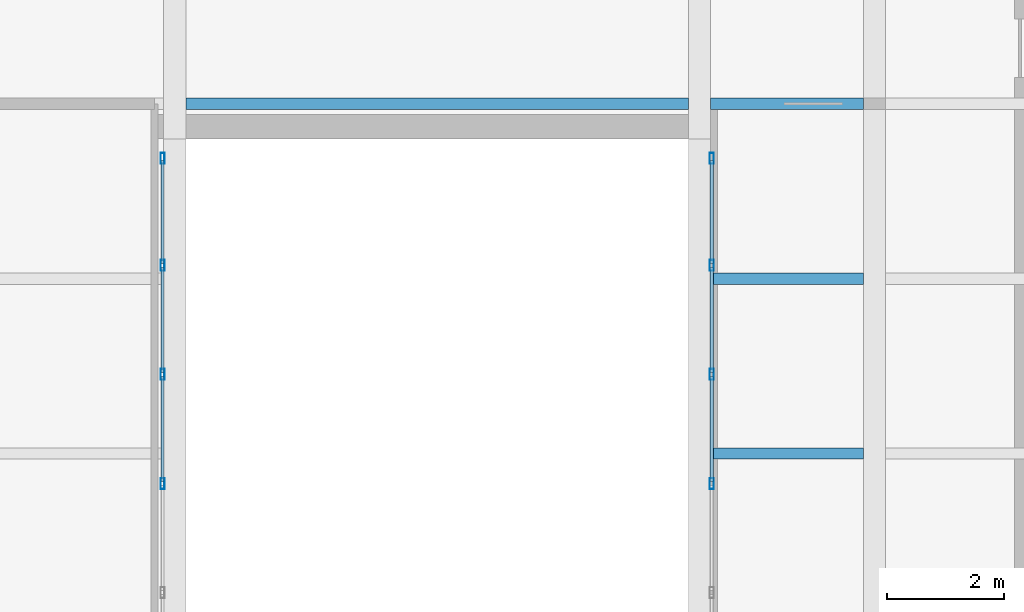
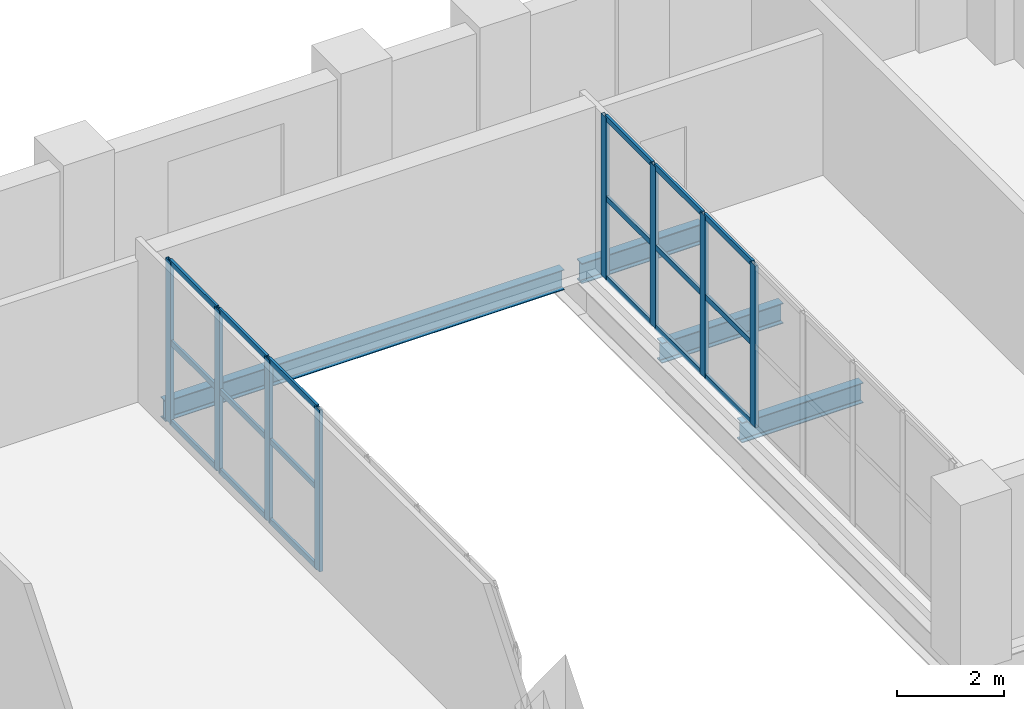
# One storey, part 4 of 10: 26 members, 4 beams, 2 elements without a shape of their own.
"""IFC4 building model written with IfcOpenShell, lengths in metres."""

from ifc_helpers import new_model, si_unit, direction, frame, origin, origin_2d, place, context, subcontext, project, spatial, hollow_rectangle, i_section, extrude, material, layer, layer_set, material_profile, profile_set, type_object, element, aggregate, save


model = new_model("IFC4")

# Units and contexts
model_context = context("Model", 3, precision=1e-05, world=origin(), true_north=direction((0.0, 1.0)))
body_context = subcontext(model_context, "Body", "Model", "MODEL_VIEW")
ifc_project = project(units=[si_unit("LENGTHUNIT", "METRE"), si_unit("AREAUNIT", "SQUARE_METRE"), si_unit("VOLUMEUNIT", "CUBIC_METRE"), si_unit("PLANEANGLEUNIT", "RADIAN"), si_unit("MASSUNIT", "GRAM", prefix="KILO")], contexts=[model_context])

# Site, building, storey
site_placement = place(None, origin())
site = spatial("IfcSite", under=ifc_project, at=site_placement, CompositionType="ELEMENT")
building_placement = place(site_placement, origin())
building = spatial("IfcBuilding", under=site, at=building_placement, Name="Mawjdan Bourse Tower", CompositionType="ELEMENT")
storey_placement = place(building_placement, frame((0.0, 0.0, 124.5)))
storey = spatial("IfcBuildingStorey", under=building, at=storey_placement, Name="L29", CompositionType="ELEMENT", Elevation=124.5)

# Beams
ifc_material_1 = material(Name="Structural Steel S355", Category="steel")
ifc_material_profile_1 = material_profile(ifc_material_1, i_section(OverallWidth=0.19189453125, OverallDepth=0.462890625, WebThickness=0.010498046875, FlangeThickness=0.017578125, FilletRadius=0.01416015625, at=origin_2d()), Name="W18X60")
ifc_profile_set_1 = profile_set([ifc_material_profile_1], Name="Structural Steel S355")
beam_type = type_object("IfcBeamType", Name="JST-W18X60", PredefinedType="JOIST", material=ifc_profile_set_1)
for number, where, z_axis, x_axis, name in (
    (1, (51.1884765625, 12.0, -0.431396484375), (1.0, 0.0, 0.0), (0.0, 1.0, 0.0), "L29 East Wing Composite Joist 034"),
    (2, (51.1884765625, 15.0, -0.431396484375), (1.0, 0.0, 0.0), (0.0, 1.0, 0.0), "L29 East Wing Composite Joist 039"),
):
    element("IfcBeam", number, at=place(storey_placement, frame(where, z_axis=z_axis, x_axis=x_axis)), inside=storey, type_object=beam_type, Name=name, PredefinedType="JOIST", context=body_context, shape_type="SweptSolid", body=[
        extrude(i_section(OverallWidth=0.19189453125, OverallDepth=0.462890625, WebThickness=0.010498046875, FlangeThickness=0.017578125, FilletRadius=0.01416015625, at=origin_2d()), origin(), (0.0, 0.0, 1.0), 2.623046875),
    ])
beam_1_placement = place(storey_placement, frame((42.1884765625, 18.0, -0.431396484375), z_axis=(1.0, 0.0, 0.0), x_axis=(0.0, 1.0, 0.0)))
element("IfcBeam", 3, at=beam_1_placement, inside=storey, type_object=beam_type, Name="L29 East Wing Composite Joist 044", PredefinedType="JOIST", context=body_context, shape_type="SweptSolid", body=[
    extrude(i_section(OverallWidth=0.19189453125, OverallDepth=0.462890625, WebThickness=0.010498046875, FlangeThickness=0.017578125, FilletRadius=0.01416015625, at=origin_2d()), origin(), (0.0, 0.0, 1.0), 8.623046875),
])
beam_2_placement = place(storey_placement, frame((51.1884765625, 18.0, -0.431396484375), z_axis=(1.0, 0.0, 0.0), x_axis=(0.0, 1.0, 0.0)))
element("IfcBeam", 4, at=beam_2_placement, inside=storey, type_object=beam_type, Name="L29 East Wing Composite Joist 045", PredefinedType="JOIST", context=body_context, shape_type="SweptSolid", body=[
    extrude(i_section(OverallWidth=0.19189453125, OverallDepth=0.462890625, WebThickness=0.010498046875, FlangeThickness=0.017578125, FilletRadius=0.01416015625, at=origin_2d()), origin(), (0.0, 0.0, 1.0), 2.623046875),
])

# Curtain wall, members
ifc_material_2 = material(Name="Thermally Broken Aluminium and Solar Glass", Category="aluminium")
ifc_layer = layer(ifc_material_2, 0.219970703125)
ifc_layer_set = layer_set([ifc_layer], Name="Thermally Broken Aluminium and Solar Glass")
curtain_wall_type = type_object("IfcCurtainWallType", Name="CW-POR", PredefinedType="USERDEFINED", material=ifc_layer_set)
curtain_wall_1_placement = place(storey_placement, origin())
curtain_wall_1 = element("IfcCurtainWall", 5, at=curtain_wall_1_placement, inside=storey, type_object=curtain_wall_type, Name="L29 East Void Portal Glazed Cheek 1", ObjectType="VOID PORTAL CURTAIN WALL", PredefinedType="USERDEFINED")
ifc_material_3 = material(Name="Thermally Broken Anodised Aluminium", Category="aluminium")
ifc_material_profile_2 = material_profile(ifc_material_3, hollow_rectangle(XDim=0.070068359375, YDim=0.18994140625, WallThickness=0.00439453125, at=origin_2d()), Name="ALU-MUL-190X70")
ifc_profile_set_2 = profile_set([ifc_material_profile_2], Name="Thermally Broken Anodised Aluminium")
member_type_1 = type_object("IfcMemberType", Name="MUL-ALU-MUL-190X70", PredefinedType="MULLION", material=ifc_profile_set_2)
member_1_placement = place(storey_placement, frame((41.7900390625, 11.485595703125, 0.0), z_axis=(0.0, 0.0, 1.0), x_axis=(-1.0, 0.0, 0.0)))
member_1 = element("IfcMember", 6, at=member_1_placement, type_object=member_type_1, Name="CW-POR-L29-POR-E1 mullion 5", PredefinedType="MULLION", context=body_context, shape_type="SweptSolid", body=[
    extrude(hollow_rectangle(XDim=0.070068359375, YDim=0.18994140625, WallThickness=0.00439453125, at=origin_2d()), origin(), (0.0, 0.0, 1.0), 3.699951171875),
])
member_2_placement = place(storey_placement, frame((41.7900390625, 13.357177734375, 0.0), z_axis=(0.0, 0.0, 1.0), x_axis=(-1.0, 0.0, 0.0)))
member_2 = element("IfcMember", 7, at=member_2_placement, type_object=member_type_1, Name="CW-POR-L29-POR-E1 mullion 6", PredefinedType="MULLION", context=body_context, shape_type="SweptSolid", body=[
    extrude(hollow_rectangle(XDim=0.070068359375, YDim=0.18994140625, WallThickness=0.00439453125, at=origin_2d()), origin(), (0.0, 0.0, 1.0), 3.699951171875),
])
member_3_placement = place(storey_placement, frame((41.7900390625, 15.228515625, 0.0), z_axis=(0.0, 0.0, 1.0), x_axis=(-1.0, 0.0, 0.0)))
member_3 = element("IfcMember", 8, at=member_3_placement, type_object=member_type_1, Name="CW-POR-L29-POR-E1 mullion 7", PredefinedType="MULLION", context=body_context, shape_type="SweptSolid", body=[
    extrude(hollow_rectangle(XDim=0.070068359375, YDim=0.18994140625, WallThickness=0.00439453125, at=origin_2d()), origin(), (0.0, 0.0, 1.0), 3.699951171875),
])
member_4_placement = place(storey_placement, frame((41.7900390625, 17.06494140625, 0.0), z_axis=(0.0, 0.0, 1.0), x_axis=(-1.0, 0.0, 0.0)))
member_4 = element("IfcMember", 9, at=member_4_placement, type_object=member_type_1, Name="CW-POR-L29-POR-E1 mullion 8", PredefinedType="MULLION", context=body_context, shape_type="SweptSolid", body=[
    extrude(hollow_rectangle(XDim=0.070068359375, YDim=0.18994140625, WallThickness=0.00439453125, at=origin_2d()), origin(), (0.0, 0.0, 1.0), 3.699951171875),
])

curtain_wall_2_placement = place(storey_placement, origin())
curtain_wall_2 = element("IfcCurtainWall", 10, at=curtain_wall_2_placement, inside=storey, type_object=curtain_wall_type, Name="L29 East Void Portal Glazed Cheek 3", ObjectType="VOID PORTAL CURTAIN WALL", PredefinedType="USERDEFINED")
member_5_placement = place(storey_placement, frame((51.2099609375, 17.06494140625, 0.0), z_axis=(0.0, 0.0, 1.0), x_axis=(1.0, 0.0, 0.0)))
member_5 = element("IfcMember", 11, at=member_5_placement, type_object=member_type_1, Name="CW-POR-L29-POR-E3 mullion 1", PredefinedType="MULLION", context=body_context, shape_type="SweptSolid", body=[
    extrude(hollow_rectangle(XDim=0.070068359375, YDim=0.18994140625, WallThickness=0.00439453125, at=origin_2d()), origin(), (0.0, 0.0, 1.0), 3.699951171875),
])
member_6_placement = place(storey_placement, frame((51.2099609375, 15.228515625, 0.0), z_axis=(0.0, 0.0, 1.0), x_axis=(1.0, 0.0, 0.0)))
member_6 = element("IfcMember", 12, at=member_6_placement, type_object=member_type_1, Name="CW-POR-L29-POR-E3 mullion 2", PredefinedType="MULLION", context=body_context, shape_type="SweptSolid", body=[
    extrude(hollow_rectangle(XDim=0.070068359375, YDim=0.18994140625, WallThickness=0.00439453125, at=origin_2d()), origin(), (0.0, 0.0, 1.0), 3.699951171875),
])
member_7_placement = place(storey_placement, frame((51.2099609375, 13.357177734375, 0.0), z_axis=(0.0, 0.0, 1.0), x_axis=(1.0, 0.0, 0.0)))
member_7 = element("IfcMember", 13, at=member_7_placement, type_object=member_type_1, Name="CW-POR-L29-POR-E3 mullion 3", PredefinedType="MULLION", context=body_context, shape_type="SweptSolid", body=[
    extrude(hollow_rectangle(XDim=0.070068359375, YDim=0.18994140625, WallThickness=0.00439453125, at=origin_2d()), origin(), (0.0, 0.0, 1.0), 3.699951171875),
])
member_8_placement = place(storey_placement, frame((51.2099609375, 11.485595703125, 0.0), z_axis=(0.0, 0.0, 1.0), x_axis=(1.0, 0.0, 0.0)))
member_8 = element("IfcMember", 14, at=member_8_placement, type_object=member_type_1, Name="CW-POR-L29-POR-E3 mullion 4", PredefinedType="MULLION", context=body_context, shape_type="SweptSolid", body=[
    extrude(hollow_rectangle(XDim=0.070068359375, YDim=0.18994140625, WallThickness=0.00439453125, at=origin_2d()), origin(), (0.0, 0.0, 1.0), 3.699951171875),
])

# Member
ifc_material_profile_3 = material_profile(ifc_material_3, hollow_rectangle(XDim=0.054931640625, YDim=0.1298828125, WallThickness=0.00341796875, at=origin_2d()), Name="ALU-TRN-130X55")
ifc_profile_set_3 = profile_set([ifc_material_profile_3], Name="Thermally Broken Anodised Aluminium")
member_type_2 = type_object("IfcMemberType", Name="TRN-ALU-TRN-130X55", PredefinedType="USERDEFINED", material=ifc_profile_set_3)
member_9_placement = place(storey_placement, frame((41.7900390625, 11.520751953125, 0.027587890625), z_axis=(0.0, 1.0, 0.0), x_axis=(-1.0, 0.0, 0.0)))
member_9 = element("IfcMember", 15, at=member_9_placement, type_object=member_type_2, Name="CW-POR-L29-POR-E1 transom 5.1", ObjectType="TRANSOM", PredefinedType="USERDEFINED", context=body_context, shape_type="SweptSolid", body=[
    extrude(hollow_rectangle(XDim=0.054931640625, YDim=0.1298828125, WallThickness=0.00341796875, at=origin_2d()), origin(), (0.0, 0.0, 1.0), 1.80126953125),
])

member_10_placement = place(storey_placement, frame((41.7900390625, 11.520751953125, 1.85009765625), z_axis=(0.0, 1.0, 0.0), x_axis=(-1.0, 0.0, 0.0)))
member_10 = element("IfcMember", 16, at=member_10_placement, type_object=member_type_2, Name="CW-POR-L29-POR-E1 transom 5.2", ObjectType="TRANSOM", PredefinedType="USERDEFINED", context=body_context, shape_type="SweptSolid", body=[
    extrude(hollow_rectangle(XDim=0.054931640625, YDim=0.1298828125, WallThickness=0.00341796875, at=origin_2d()), origin(), (0.0, 0.0, 1.0), 1.80126953125),
])

member_11_placement = place(storey_placement, frame((41.7900390625, 11.520751953125, 3.672607421875), z_axis=(0.0, 1.0, 0.0), x_axis=(-1.0, 0.0, 0.0)))
member_11 = element("IfcMember", 17, at=member_11_placement, type_object=member_type_2, Name="CW-POR-L29-POR-E1 transom 5.3", ObjectType="TRANSOM", PredefinedType="USERDEFINED", context=body_context, shape_type="SweptSolid", body=[
    extrude(hollow_rectangle(XDim=0.054931640625, YDim=0.1298828125, WallThickness=0.00341796875, at=origin_2d()), origin(), (0.0, 0.0, 1.0), 1.80126953125),
])

member_12_placement = place(storey_placement, frame((41.7900390625, 13.39208984375, 0.027587890625), z_axis=(0.0, 1.0, 0.0), x_axis=(-1.0, 0.0, 0.0)))
member_12 = element("IfcMember", 18, at=member_12_placement, type_object=member_type_2, Name="CW-POR-L29-POR-E1 transom 6.1", ObjectType="TRANSOM", PredefinedType="USERDEFINED", context=body_context, shape_type="SweptSolid", body=[
    extrude(hollow_rectangle(XDim=0.054931640625, YDim=0.1298828125, WallThickness=0.00341796875, at=origin_2d()), origin(), (0.0, 0.0, 1.0), 1.801513671875),
])

member_13_placement = place(storey_placement, frame((41.7900390625, 13.39208984375, 1.85009765625), z_axis=(0.0, 1.0, 0.0), x_axis=(-1.0, 0.0, 0.0)))
member_13 = element("IfcMember", 19, at=member_13_placement, type_object=member_type_2, Name="CW-POR-L29-POR-E1 transom 6.2", ObjectType="TRANSOM", PredefinedType="USERDEFINED", context=body_context, shape_type="SweptSolid", body=[
    extrude(hollow_rectangle(XDim=0.054931640625, YDim=0.1298828125, WallThickness=0.00341796875, at=origin_2d()), origin(), (0.0, 0.0, 1.0), 1.801513671875),
])

member_14_placement = place(storey_placement, frame((41.7900390625, 13.39208984375, 3.672607421875), z_axis=(0.0, 1.0, 0.0), x_axis=(-1.0, 0.0, 0.0)))
member_14 = element("IfcMember", 20, at=member_14_placement, type_object=member_type_2, Name="CW-POR-L29-POR-E1 transom 6.3", ObjectType="TRANSOM", PredefinedType="USERDEFINED", context=body_context, shape_type="SweptSolid", body=[
    extrude(hollow_rectangle(XDim=0.054931640625, YDim=0.1298828125, WallThickness=0.00341796875, at=origin_2d()), origin(), (0.0, 0.0, 1.0), 1.801513671875),
])

member_15_placement = place(storey_placement, frame((41.7900390625, 15.263671875, 0.027587890625), z_axis=(0.0, 1.0, 0.0), x_axis=(-1.0, 0.0, 0.0)))
member_15 = element("IfcMember", 21, at=member_15_placement, type_object=member_type_2, Name="CW-POR-L29-POR-E1 transom 7.1", ObjectType="TRANSOM", PredefinedType="USERDEFINED", context=body_context, shape_type="SweptSolid", body=[
    extrude(hollow_rectangle(XDim=0.054931640625, YDim=0.1298828125, WallThickness=0.00341796875, at=origin_2d()), origin(), (0.0, 0.0, 1.0), 1.766357421875),
])

member_16_placement = place(storey_placement, frame((41.7900390625, 15.263671875, 1.85009765625), z_axis=(0.0, 1.0, 0.0), x_axis=(-1.0, 0.0, 0.0)))
member_16 = element("IfcMember", 22, at=member_16_placement, type_object=member_type_2, Name="CW-POR-L29-POR-E1 transom 7.2", ObjectType="TRANSOM", PredefinedType="USERDEFINED", context=body_context, shape_type="SweptSolid", body=[
    extrude(hollow_rectangle(XDim=0.054931640625, YDim=0.1298828125, WallThickness=0.00341796875, at=origin_2d()), origin(), (0.0, 0.0, 1.0), 1.766357421875),
])

member_17_placement = place(storey_placement, frame((41.7900390625, 15.263671875, 3.672607421875), z_axis=(0.0, 1.0, 0.0), x_axis=(-1.0, 0.0, 0.0)))
member_17 = element("IfcMember", 23, at=member_17_placement, type_object=member_type_2, Name="CW-POR-L29-POR-E1 transom 7.3", ObjectType="TRANSOM", PredefinedType="USERDEFINED", context=body_context, shape_type="SweptSolid", body=[
    extrude(hollow_rectangle(XDim=0.054931640625, YDim=0.1298828125, WallThickness=0.00341796875, at=origin_2d()), origin(), (0.0, 0.0, 1.0), 1.766357421875),
])

aggregate(curtain_wall_1, [member_1, member_2, member_3, member_4, member_9, member_10, member_11, member_12, member_13, member_14, member_15, member_16, member_17])

member_18_placement = place(storey_placement, frame((51.2099609375, 17.030029296875, 0.027587890625), z_axis=(0.0, -1.0, 0.0), x_axis=(1.0, 0.0, 0.0)))
member_18 = element("IfcMember", 24, at=member_18_placement, type_object=member_type_2, Name="CW-POR-L29-POR-E3 transom 1.1", ObjectType="TRANSOM", PredefinedType="USERDEFINED", context=body_context, shape_type="SweptSolid", body=[
    extrude(hollow_rectangle(XDim=0.054931640625, YDim=0.1298828125, WallThickness=0.00341796875, at=origin_2d()), origin(), (0.0, 0.0, 1.0), 1.766357421875),
])

member_19_placement = place(storey_placement, frame((51.2099609375, 17.030029296875, 1.85009765625), z_axis=(0.0, -1.0, 0.0), x_axis=(1.0, 0.0, 0.0)))
member_19 = element("IfcMember", 25, at=member_19_placement, type_object=member_type_2, Name="CW-POR-L29-POR-E3 transom 1.2", ObjectType="TRANSOM", PredefinedType="USERDEFINED", context=body_context, shape_type="SweptSolid", body=[
    extrude(hollow_rectangle(XDim=0.054931640625, YDim=0.1298828125, WallThickness=0.00341796875, at=origin_2d()), origin(), (0.0, 0.0, 1.0), 1.766357421875),
])

member_20_placement = place(storey_placement, frame((51.2099609375, 17.030029296875, 3.672607421875), z_axis=(0.0, -1.0, 0.0), x_axis=(1.0, 0.0, 0.0)))
member_20 = element("IfcMember", 26, at=member_20_placement, type_object=member_type_2, Name="CW-POR-L29-POR-E3 transom 1.3", ObjectType="TRANSOM", PredefinedType="USERDEFINED", context=body_context, shape_type="SweptSolid", body=[
    extrude(hollow_rectangle(XDim=0.054931640625, YDim=0.1298828125, WallThickness=0.00341796875, at=origin_2d()), origin(), (0.0, 0.0, 1.0), 1.766357421875),
])

member_21_placement = place(storey_placement, frame((51.2099609375, 15.193603515625, 0.027587890625), z_axis=(0.0, -1.0, 0.0), x_axis=(1.0, 0.0, 0.0)))
member_21 = element("IfcMember", 27, at=member_21_placement, type_object=member_type_2, Name="CW-POR-L29-POR-E3 transom 2.1", ObjectType="TRANSOM", PredefinedType="USERDEFINED", context=body_context, shape_type="SweptSolid", body=[
    extrude(hollow_rectangle(XDim=0.054931640625, YDim=0.1298828125, WallThickness=0.00341796875, at=origin_2d()), origin(), (0.0, 0.0, 1.0), 1.801513671875),
])

member_22_placement = place(storey_placement, frame((51.2099609375, 15.193603515625, 1.85009765625), z_axis=(0.0, -1.0, 0.0), x_axis=(1.0, 0.0, 0.0)))
member_22 = element("IfcMember", 28, at=member_22_placement, type_object=member_type_2, Name="CW-POR-L29-POR-E3 transom 2.2", ObjectType="TRANSOM", PredefinedType="USERDEFINED", context=body_context, shape_type="SweptSolid", body=[
    extrude(hollow_rectangle(XDim=0.054931640625, YDim=0.1298828125, WallThickness=0.00341796875, at=origin_2d()), origin(), (0.0, 0.0, 1.0), 1.801513671875),
])

member_23_placement = place(storey_placement, frame((51.2099609375, 15.193603515625, 3.672607421875), z_axis=(0.0, -1.0, 0.0), x_axis=(1.0, 0.0, 0.0)))
member_23 = element("IfcMember", 29, at=member_23_placement, type_object=member_type_2, Name="CW-POR-L29-POR-E3 transom 2.3", ObjectType="TRANSOM", PredefinedType="USERDEFINED", context=body_context, shape_type="SweptSolid", body=[
    extrude(hollow_rectangle(XDim=0.054931640625, YDim=0.1298828125, WallThickness=0.00341796875, at=origin_2d()), origin(), (0.0, 0.0, 1.0), 1.801513671875),
])

member_24_placement = place(storey_placement, frame((51.2099609375, 13.322021484375, 0.027587890625), z_axis=(0.0, -1.0, 0.0), x_axis=(1.0, 0.0, 0.0)))
member_24 = element("IfcMember", 30, at=member_24_placement, type_object=member_type_2, Name="CW-POR-L29-POR-E3 transom 3.1", ObjectType="TRANSOM", PredefinedType="USERDEFINED", context=body_context, shape_type="SweptSolid", body=[
    extrude(hollow_rectangle(XDim=0.054931640625, YDim=0.1298828125, WallThickness=0.00341796875, at=origin_2d()), origin(), (0.0, 0.0, 1.0), 1.80126953125),
])

member_25_placement = place(storey_placement, frame((51.2099609375, 13.322021484375, 1.85009765625), z_axis=(0.0, -1.0, 0.0), x_axis=(1.0, 0.0, 0.0)))
member_25 = element("IfcMember", 31, at=member_25_placement, type_object=member_type_2, Name="CW-POR-L29-POR-E3 transom 3.2", ObjectType="TRANSOM", PredefinedType="USERDEFINED", context=body_context, shape_type="SweptSolid", body=[
    extrude(hollow_rectangle(XDim=0.054931640625, YDim=0.1298828125, WallThickness=0.00341796875, at=origin_2d()), origin(), (0.0, 0.0, 1.0), 1.80126953125),
])

member_26_placement = place(storey_placement, frame((51.2099609375, 13.322021484375, 3.672607421875), z_axis=(0.0, -1.0, 0.0), x_axis=(1.0, 0.0, 0.0)))
member_26 = element("IfcMember", 32, at=member_26_placement, type_object=member_type_2, Name="CW-POR-L29-POR-E3 transom 3.3", ObjectType="TRANSOM", PredefinedType="USERDEFINED", context=body_context, shape_type="SweptSolid", body=[
    extrude(hollow_rectangle(XDim=0.054931640625, YDim=0.1298828125, WallThickness=0.00341796875, at=origin_2d()), origin(), (0.0, 0.0, 1.0), 1.80126953125),
])

aggregate(curtain_wall_2, [member_5, member_6, member_7, member_8, member_18, member_19, member_20, member_21, member_22, member_23, member_24, member_25, member_26])

save(model, "model.ifc")
